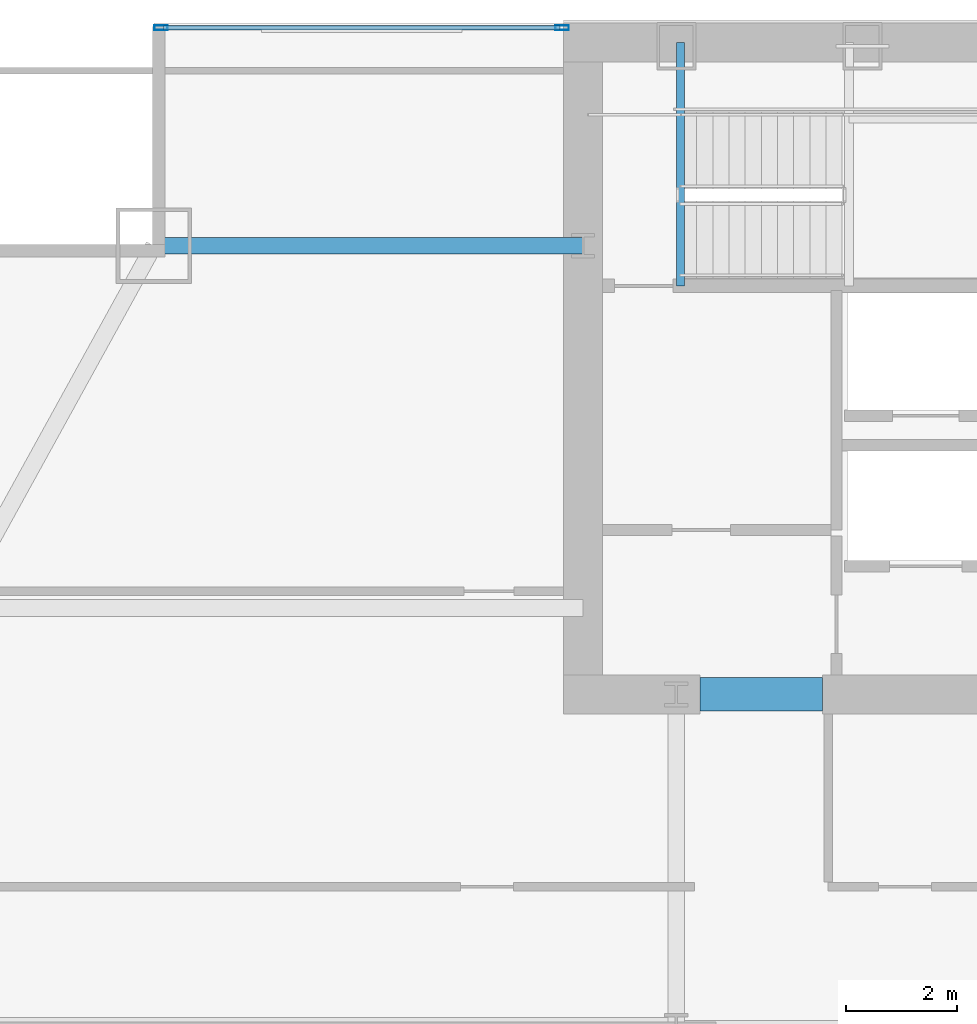
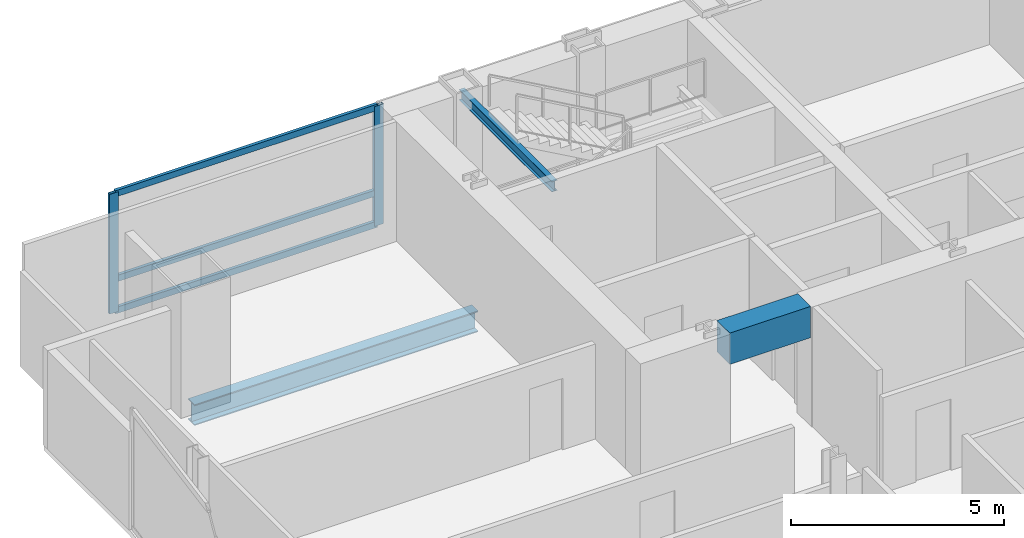
# One storey, part 18 of 29: 5 members, 3 beams, 1 element without a shape of its own.
"""IFC4 building model written with IfcOpenShell, lengths in metres."""

from ifc_helpers import new_model, si_unit, direction, frame, origin, origin_2d, place, context, subcontext, project, spatial, rectangle, hollow_rectangle, i_section, extrude, material, material_profile, profile_set, type_object, element, aggregate, save


model = new_model("IFC4")

# Units and contexts
model_context = context("Model", 3, precision=1e-05, world=origin(), true_north=direction((0.0, 1.0)))
body_context = subcontext(model_context, "Body", "Model", "MODEL_VIEW")
ifc_project = project(units=[si_unit("LENGTHUNIT", "METRE"), si_unit("AREAUNIT", "SQUARE_METRE"), si_unit("VOLUMEUNIT", "CUBIC_METRE"), si_unit("PLANEANGLEUNIT", "RADIAN"), si_unit("MASSUNIT", "GRAM", prefix="KILO")], contexts=[model_context])

# Site, building, storey
site_placement = place(None, origin())
site = spatial("IfcSite", under=ifc_project, at=site_placement, CompositionType="ELEMENT")
building_placement = place(site_placement, origin())
building = spatial("IfcBuilding", under=site, at=building_placement, Name="Khoronbel Lancet Exchange", CompositionType="ELEMENT")
storey_placement = place(building_placement, frame((0.0, 0.0, 143.39990234375)))
storey = spatial("IfcBuildingStorey", under=building, at=storey_placement, Name="L35", CompositionType="ELEMENT", Elevation=143.39990234375)

# Beams
ifc_material_1 = material(Name="Steel S355", Category="steel")
ifc_material_profile_1 = material_profile(ifc_material_1, i_section(OverallWidth=0.14990234375, OverallDepth=0.300048828125, WebThickness=0.007080078125, FlangeThickness=0.0107421875, at=origin_2d()), Name="IPE 300")
ifc_profile_set_1 = profile_set([ifc_material_profile_1], Name="Steel S355")
beam_type_1 = type_object("IfcBeamType", Name="BM-BJ8", PredefinedType="JOIST", material=ifc_profile_set_1)
beam_1_placement = place(storey_placement, frame((18.300048828125, 48.97998046875, 3.16015625), z_axis=(0.0, 1.0, 0.0), x_axis=(-1.0, 0.0, 0.0)))
element("IfcBeam", 1, at=beam_1_placement, inside=storey, type_object=beam_type_1, Name="Level L35 stair ST1 upper-flight arrival trimmer beam", PredefinedType="JOIST", context=body_context, shape_type="SweptSolid", body=[
    extrude(i_section(OverallWidth=0.14990234375, OverallDepth=0.300048828125, WebThickness=0.007080078125, FlangeThickness=0.0107421875, at=origin_2d()), origin(), (0.0, 0.0, 1.0), 4.3701171875),
])
ifc_material_2 = material(Name="Concrete C80/95", Category="concrete")
ifc_material_profile_2 = material_profile(ifc_material_2, rectangle(XDim=0.60009765625, YDim=0.89990234375, at=origin_2d()), Name="RC 600x900")
ifc_profile_set_2 = profile_set([ifc_material_profile_2], Name="Concrete C80/95")
beam_type_2 = type_object("IfcBeamType", Name="BM-BL1", PredefinedType="LINTEL", material=ifc_profile_set_2)
beam_2_placement = place(storey_placement, frame((18.64990234375, 41.64990234375, 2.989990234375), z_axis=(1.0, 0.0, 0.0), x_axis=(0.0, 1.0, 0.0)))
element("IfcBeam", 2, at=beam_2_placement, inside=storey, type_object=beam_type_2, Name="Level L35 rear core coupling lintel L1", PredefinedType="LINTEL", context=body_context, shape_type="SweptSolid", body=[
    extrude(rectangle(XDim=0.60009765625, YDim=0.89990234375, at=origin_2d()), origin(), (0.0, 0.0, 1.0), 2.2001953125),
])
ifc_material_profile_3 = material_profile(ifc_material_1, i_section(OverallWidth=0.300048828125, OverallDepth=0.60009765625, WebThickness=0.015380859375, FlangeThickness=0.030029296875, at=origin_2d()), Name="HEB 600")
ifc_profile_set_3 = profile_set([ifc_material_profile_3], Name="Steel S355")
beam_type_3 = type_object("IfcBeamType", Name="BM-BSP2", PredefinedType="SPANDREL", material=ifc_profile_set_3)
beam_3_placement = place(storey_placement, frame((8.85009765625, 49.699951171875, -0.4599609375), z_axis=(1.0, 0.0, 0.0), x_axis=(0.0, 1.0, 0.0)))
element("IfcBeam", 3, at=beam_3_placement, inside=storey, type_object=beam_type_3, Name="Level L35 north flank tie spandrel SP22", PredefinedType="SPANDREL", context=body_context, shape_type="SweptSolid", body=[
    extrude(i_section(OverallWidth=0.300048828125, OverallDepth=0.60009765625, WebThickness=0.015380859375, FlangeThickness=0.030029296875, at=origin_2d()), origin(), (0.0, 0.0, 1.0), 7.699951171875),
])

# Curtain wall, members
ifc_material_3 = material(Name="Low-E Solar Control Insulating Glass", Category="glass")
curtain_wall_type = type_object("IfcCurtainWallType", Name="CW-3", PredefinedType="NOTDEFINED", material=ifc_material_3)
curtain_wall_placement = place(storey_placement, origin())
curtain_wall = element("IfcCurtainWall", 4, at=curtain_wall_placement, inside=storey, type_object=curtain_wall_type, Name="Unitised curtain wall CW-L35-NWFLK", PredefinedType="NOTDEFINED")
ifc_material_4 = material(Name="Bronze-Anodised Aluminium 6063-T6", Category="aluminium")
ifc_material_profile_4 = material_profile(ifc_material_4, hollow_rectangle(XDim=0.0849609375, YDim=0.239990234375, WallThickness=0.006103515625, at=origin_2d()), Name="ALU MULLION 85x240")
ifc_profile_set_4 = profile_set([ifc_material_profile_4], Name="Bronze-Anodised Aluminium 6063-T6")
member_type_1 = type_object("IfcMemberType", Name="MEM-CWM1", PredefinedType="MULLION", material=ifc_profile_set_4)
member_1_placement = place(storey_placement, frame((16.177490234375, 53.610107421875, 0.0), z_axis=(0.0, 0.0, 1.0), x_axis=(0.0, -1.0, 0.0)))
member_1 = element("IfcMember", 5, at=member_1_placement, type_object=member_type_1, Name="CW3 mullion 1", PredefinedType="MULLION", context=body_context, shape_type="SweptSolid", body=[
    extrude(hollow_rectangle(XDim=0.0849609375, YDim=0.239990234375, WallThickness=0.006103515625, at=origin_2d()), origin(), (0.0, 0.0, 1.0), 3.440185546875),
])
member_2_placement = place(storey_placement, frame((8.982421875, 53.610107421875, 0.0), z_axis=(0.0, 0.0, 1.0), x_axis=(0.0, -1.0, 0.0)))
member_2 = element("IfcMember", 6, at=member_2_placement, type_object=member_type_1, Name="CW3 mullion 2", PredefinedType="MULLION", context=body_context, shape_type="SweptSolid", body=[
    extrude(hollow_rectangle(XDim=0.0849609375, YDim=0.239990234375, WallThickness=0.006103515625, at=origin_2d()), origin(), (0.0, 0.0, 1.0), 3.440185546875),
])
ifc_material_profile_5 = material_profile(ifc_material_4, hollow_rectangle(XDim=0.0849609375, YDim=0.179931640625, WallThickness=0.0048828125, at=origin_2d()), Name="ALU TRANSOM 85x180")
ifc_profile_set_5 = profile_set([ifc_material_profile_5], Name="Bronze-Anodised Aluminium 6063-T6")
member_type_2 = type_object("IfcMemberType", Name="MEM-CWT1", PredefinedType="USERDEFINED", material=ifc_profile_set_5)
member_3_placement = place(storey_placement, frame((16.135009765625, 53.610107421875, 0.04248046875), z_axis=(-1.0, 0.0, 0.0), x_axis=(0.0, -1.0, 0.0)))
member_3 = element("IfcMember", 7, at=member_3_placement, type_object=member_type_2, Name="CW3 transom 1.1", ObjectType="TRANSOM", PredefinedType="USERDEFINED", context=body_context, shape_type="SweptSolid", body=[
    extrude(hollow_rectangle(XDim=0.0849609375, YDim=0.179931640625, WallThickness=0.0048828125, at=origin_2d()), origin(), (0.0, 0.0, 1.0), 7.110107421875),
])
member_4_placement = place(storey_placement, frame((16.135009765625, 53.610107421875, 0.9501953125), z_axis=(-1.0, 0.0, 0.0), x_axis=(0.0, -1.0, 0.0)))
member_4 = element("IfcMember", 8, at=member_4_placement, type_object=member_type_2, Name="CW3 transom 1.2", ObjectType="TRANSOM", PredefinedType="USERDEFINED", context=body_context, shape_type="SweptSolid", body=[
    extrude(hollow_rectangle(XDim=0.0849609375, YDim=0.179931640625, WallThickness=0.0048828125, at=origin_2d()), origin(), (0.0, 0.0, 1.0), 7.110107421875),
])
member_5_placement = place(storey_placement, frame((16.135009765625, 53.610107421875, 3.397705078125), z_axis=(-1.0, 0.0, 0.0), x_axis=(0.0, -1.0, 0.0)))
member_5 = element("IfcMember", 9, at=member_5_placement, type_object=member_type_2, Name="CW3 transom 1.3", ObjectType="TRANSOM", PredefinedType="USERDEFINED", context=body_context, shape_type="SweptSolid", body=[
    extrude(hollow_rectangle(XDim=0.0849609375, YDim=0.179931640625, WallThickness=0.0048828125, at=origin_2d()), origin(), (0.0, 0.0, 1.0), 7.110107421875),
])
aggregate(curtain_wall, [member_1, member_2, member_3, member_4, member_5])

save(model, "model.ifc")
